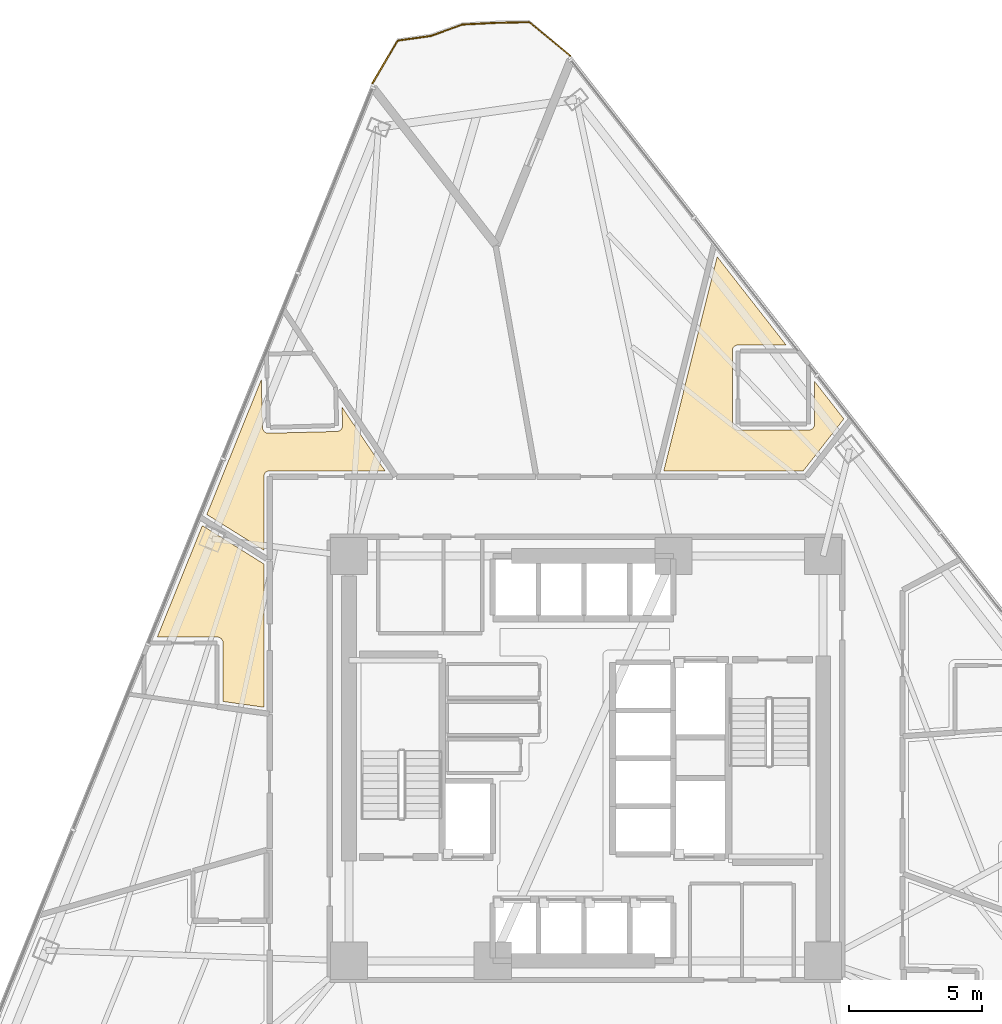
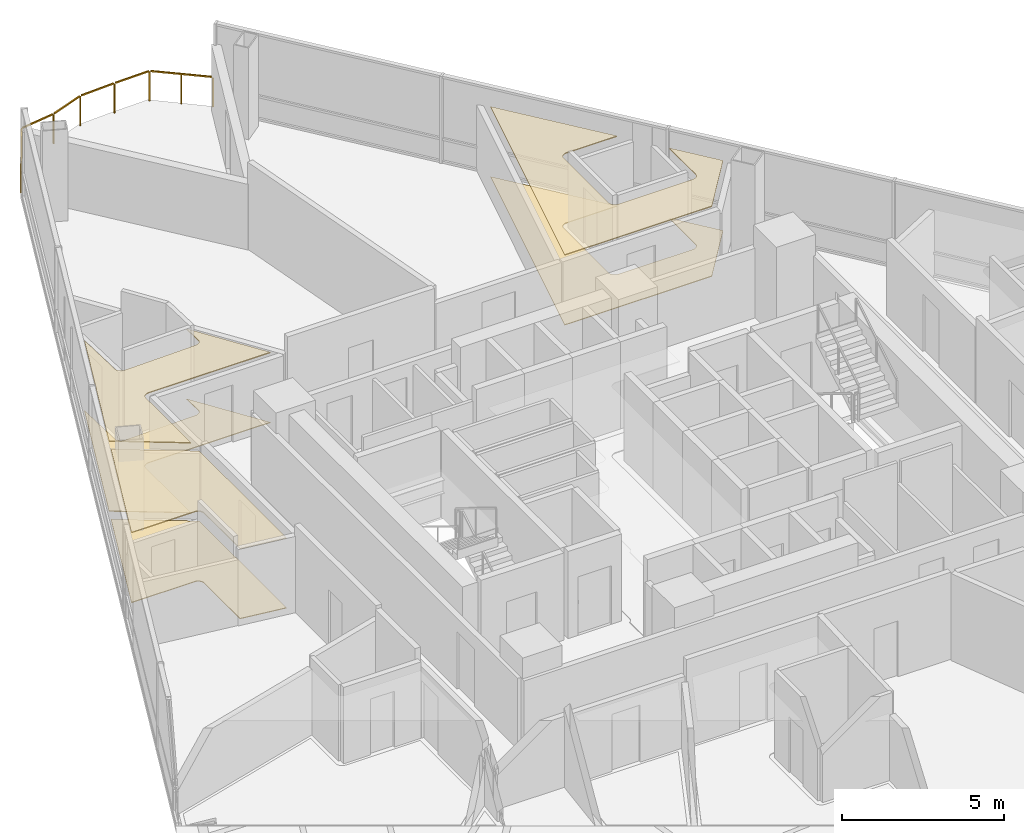
# One storey, part 16 of 16: 6 coverings, 1 railing.
"""IFC4 building model written with IfcOpenShell, lengths in metres."""

from ifc_helpers import new_model, si_unit, direction, frame, origin, origin_2d, place, context, subcontext, project, spatial, polyline, rectangle, outline, extrude, material, layer, layer_set, type_object, element, save


model = new_model("IFC4")

# Units and contexts
model_context = context("Model", 3, precision=1e-05, world=origin(), true_north=direction((0.0, 1.0)))
body_context = subcontext(model_context, "Body", "Model", "MODEL_VIEW")
ifc_project = project(units=[si_unit("LENGTHUNIT", "METRE"), si_unit("AREAUNIT", "SQUARE_METRE"), si_unit("VOLUMEUNIT", "CUBIC_METRE"), si_unit("PLANEANGLEUNIT", "RADIAN"), si_unit("MASSUNIT", "GRAM", prefix="KILO")], contexts=[model_context])

# Site, building, storey
site_placement = place(None, origin())
site = spatial("IfcSite", under=ifc_project, at=site_placement, CompositionType="ELEMENT")
building_placement = place(site_placement, origin())
building = spatial("IfcBuilding", under=site, at=building_placement, Name="Tharavind Bronze Gate", CompositionType="ELEMENT")
storey_placement = place(building_placement, frame((0.0, 0.0, 70.75)))
storey = spatial("IfcBuildingStorey", under=building, at=storey_placement, Name="L17", CompositionType="ELEMENT", Elevation=70.75)

# Coverings
ifc_material_1 = material(Name="Engineered Oak & Carpet Tile", Category="wood")
ifc_layer_1 = layer(ifc_material_1, 0.02490234375)
ifc_layer_set_1 = layer_set([ifc_layer_1], Name="Engineered Oak & Carpet Tile")
covering_type_1 = type_object("IfcCoveringType", Name="ENGINEERED TIMBER FLOORING", PredefinedType="FLOORING", material=ifc_layer_set_1)
covering_1_placement = place(storey_placement, origin())
element("IfcCovering", 1, at=covering_1_placement, inside=storey, type_object=covering_type_1, Name="L17-RM-02 floor finish", PredefinedType="FLOORING", context=body_context, shape_type="SweptSolid", body=[
    extrude(outline(polyline([(8.15869140625, 10.800048828125), (9.67919921875, 12.746337890625), (8.579833984375, 14.15380859375), (8.579833984375, 12.550048828125), (8.57861328125, 12.5283203125), (8.575439453125, 12.507080078125), (8.5703125, 12.486083984375), (8.56298828125, 12.4658203125), (8.5537109375, 12.4462890625), (8.542724609375, 12.427734375), (8.52978515625, 12.410400390625), (8.515380859375, 12.394287109375), (8.499267578125, 12.3798828125), (8.48193359375, 12.3671875), (8.46337890625, 12.35595703125), (8.44384765625, 12.3466796875), (8.423583984375, 12.339599609375), (8.402587890625, 12.334228515625), (8.38134765625, 12.3310546875), (8.35986328125, 12.330078125), (5.709716796875, 12.330078125), (5.688232421875, 12.3310546875), (5.666748046875, 12.334228515625), (5.64599609375, 12.339599609375), (5.62548828125, 12.3466796875), (5.60595703125, 12.35595703125), (5.58740234375, 12.3671875), (5.5703125, 12.3798828125), (5.55419921875, 12.394287109375), (5.539794921875, 12.410400390625), (5.52685546875, 12.427734375), (5.515625, 12.4462890625), (5.506591796875, 12.4658203125), (5.499267578125, 12.486083984375), (5.493896484375, 12.507080078125), (5.49072265625, 12.5283203125), (5.48974609375, 12.550048828125), (5.48974609375, 15.300048828125), (5.49072265625, 15.321533203125), (5.493896484375, 15.343017578125), (5.499267578125, 15.364013671875), (5.506591796875, 15.38427734375), (5.515625, 15.40380859375), (5.52685546875, 15.422119140625), (5.539794921875, 15.439697265625), (5.55419921875, 15.45556640625), (5.5703125, 15.47021484375), (5.58740234375, 15.48291015625), (5.60595703125, 15.493896484375), (5.62548828125, 15.50341796875), (5.64599609375, 15.510498046875), (5.666748046875, 15.515869140625), (5.688232421875, 15.518798828125), (5.709716796875, 15.52001953125), (7.51220703125, 15.52001953125), (4.922607421875, 18.83447265625), (2.91943359375, 10.800048828125), (8.15869140625, 10.800048828125)])), origin(), (0.0, 0.0, 1.0), 0.02490234375),
])
covering_2_placement = place(storey_placement, origin())
element("IfcCovering", 2, at=covering_2_placement, inside=storey, type_object=covering_type_1, Name="L17-RM-05 floor finish", PredefinedType="FLOORING", context=body_context, shape_type="SweptSolid", body=[
    extrude(outline(polyline([(-12.10009765625, 7.8203125), (-12.10009765625, 10.579345703125), (-12.099609375, 10.590087890625), (-12.099609375, 10.5908203125), (-12.09765625, 10.6123046875), (-12.093505859375, 10.63330078125), (-12.087158203125, 10.654052734375), (-12.078857421875, 10.674072265625), (-12.068603515625, 10.693115234375), (-12.056640625, 10.7109375), (-12.04296875, 10.727783203125), (-12.027587890625, 10.742919921875), (-12.010986328125, 10.756591796875), (-11.9931640625, 10.768798828125), (-11.97412109375, 10.77880859375), (-11.9541015625, 10.787109375), (-11.933349609375, 10.79345703125), (-11.912353515625, 10.797607421875), (-11.890869140625, 10.7998046875), (-11.89013671875, 10.7998046875), (-11.87939453125, 10.800048828125), (-7.550048828125, 10.800048828125), (-9.160888671875, 13.18798828125), (-9.14306640625, 12.5009765625), (-9.143798828125, 12.4794921875), (-9.146240234375, 12.4580078125), (-9.15087890625, 12.43701171875), (-9.15771484375, 12.41650390625), (-9.16650390625, 12.396728515625), (-9.177001953125, 12.3779296875), (-9.189453125, 12.360107421875), (-9.20361328125, 12.343994140625), (-9.21923828125, 12.3291015625), (-9.236083984375, 12.315673828125), (-9.25439453125, 12.30419921875), (-9.273681640625, 12.29443359375), (-9.293701171875, 12.28662109375), (-9.314697265625, 12.28076171875), (-9.3359375, 12.277099609375), (-9.357421875, 12.275390625), (-11.921875, 12.20947265625), (-11.943603515625, 12.2099609375), (-11.96484375, 12.212646484375), (-11.986083984375, 12.21728515625), (-12.006591796875, 12.22412109375), (-12.0263671875, 12.232666015625), (-12.045166015625, 12.243408203125), (-12.062744140625, 12.255859375), (-12.0791015625, 12.269775390625), (-12.093994140625, 12.285400390625), (-12.107421875, 12.302490234375), (-12.118896484375, 12.32080078125), (-12.128662109375, 12.340087890625), (-12.136474609375, 12.360107421875), (-12.14208984375, 12.380859375), (-12.14599609375, 12.402099609375), (-12.1474609375, 12.423583984375), (-12.193603515625, 14.2177734375), (-14.238525390625, 9.156494140625), (-12.10009765625, 7.8203125)])), origin(), (0.0, 0.0, 1.0), 0.02490234375),
])
covering_3_placement = place(storey_placement, origin())
element("IfcCovering", 3, at=covering_3_placement, inside=storey, type_object=covering_type_1, Name="L17-RM-06 floor finish", PredefinedType="FLOORING", context=body_context, shape_type="SweptSolid", body=[
    extrude(outline(polyline([(-16.09716796875, 4.556396484375), (-13.85009765625, 4.556396484375), (-13.828369140625, 4.555419921875), (-13.80712890625, 4.55224609375), (-13.7861328125, 4.547119140625), (-13.765869140625, 4.539794921875), (-13.746337890625, 4.530517578125), (-13.727783203125, 4.519287109375), (-13.71044921875, 4.506591796875), (-13.6943359375, 4.4921875), (-13.679931640625, 4.47607421875), (-13.6669921875, 4.458740234375), (-13.656005859375, 4.440185546875), (-13.646728515625, 4.420654296875), (-13.639404296875, 4.400390625), (-13.63427734375, 4.37939453125), (-13.631103515625, 4.358154296875), (-13.6298828125, 4.33642578125), (-13.6298828125, 2.1376953125), (-12.10009765625, 1.922607421875), (-12.10009765625, 7.301513671875), (-14.406005859375, 8.742431640625), (-16.09716796875, 4.556396484375)])), origin(), (0.0, 0.0, 1.0), 0.02490234375),
])
ifc_material_2 = material(Name="Acoustic Gypsum Board", Category="gypsum")
ifc_layer_2 = layer(ifc_material_2, 0.030029296875)
ifc_layer_set_2 = layer_set([ifc_layer_2], Name="Acoustic Gypsum Board")
covering_type_2 = type_object("IfcCoveringType", Name="GYPSUM SUSPENDED CEILING", PredefinedType="CEILING", material=ifc_layer_set_2)
covering_4_placement = place(storey_placement, frame((0.0, 0.0, 2.625)))
element("IfcCovering", 4, at=covering_4_placement, inside=storey, type_object=covering_type_2, Name="L17-RM-02 suspended ceiling", PredefinedType="CEILING", context=body_context, shape_type="SweptSolid", body=[
    extrude(outline(polyline([(8.15869140625, 10.800048828125), (9.67919921875, 12.746337890625), (8.579833984375, 14.15380859375), (8.579833984375, 12.550048828125), (8.57861328125, 12.5283203125), (8.575439453125, 12.507080078125), (8.5703125, 12.486083984375), (8.56298828125, 12.4658203125), (8.5537109375, 12.4462890625), (8.542724609375, 12.427734375), (8.52978515625, 12.410400390625), (8.515380859375, 12.394287109375), (8.499267578125, 12.3798828125), (8.48193359375, 12.3671875), (8.46337890625, 12.35595703125), (8.44384765625, 12.3466796875), (8.423583984375, 12.339599609375), (8.402587890625, 12.334228515625), (8.38134765625, 12.3310546875), (8.35986328125, 12.330078125), (5.709716796875, 12.330078125), (5.688232421875, 12.3310546875), (5.666748046875, 12.334228515625), (5.64599609375, 12.339599609375), (5.62548828125, 12.3466796875), (5.60595703125, 12.35595703125), (5.58740234375, 12.3671875), (5.5703125, 12.3798828125), (5.55419921875, 12.394287109375), (5.539794921875, 12.410400390625), (5.52685546875, 12.427734375), (5.515625, 12.4462890625), (5.506591796875, 12.4658203125), (5.499267578125, 12.486083984375), (5.493896484375, 12.507080078125), (5.49072265625, 12.5283203125), (5.48974609375, 12.550048828125), (5.48974609375, 15.300048828125), (5.49072265625, 15.321533203125), (5.493896484375, 15.343017578125), (5.499267578125, 15.364013671875), (5.506591796875, 15.38427734375), (5.515625, 15.40380859375), (5.52685546875, 15.422119140625), (5.539794921875, 15.439697265625), (5.55419921875, 15.45556640625), (5.5703125, 15.47021484375), (5.58740234375, 15.48291015625), (5.60595703125, 15.493896484375), (5.62548828125, 15.50341796875), (5.64599609375, 15.510498046875), (5.666748046875, 15.515869140625), (5.688232421875, 15.518798828125), (5.709716796875, 15.52001953125), (7.51220703125, 15.52001953125), (4.922607421875, 18.83447265625), (2.91943359375, 10.800048828125), (8.15869140625, 10.800048828125)])), origin(), (0.0, 0.0, 1.0), 0.034912109375),
])
covering_5_placement = place(storey_placement, frame((0.0, 0.0, 2.625)))
element("IfcCovering", 5, at=covering_5_placement, inside=storey, type_object=covering_type_2, Name="L17-RM-05 suspended ceiling", PredefinedType="CEILING", context=body_context, shape_type="SweptSolid", body=[
    extrude(outline(polyline([(-12.10009765625, 7.8203125), (-12.10009765625, 10.579345703125), (-12.099609375, 10.590087890625), (-12.099609375, 10.5908203125), (-12.09765625, 10.6123046875), (-12.093505859375, 10.63330078125), (-12.087158203125, 10.654052734375), (-12.078857421875, 10.674072265625), (-12.068603515625, 10.693115234375), (-12.056640625, 10.7109375), (-12.04296875, 10.727783203125), (-12.027587890625, 10.742919921875), (-12.010986328125, 10.756591796875), (-11.9931640625, 10.768798828125), (-11.97412109375, 10.77880859375), (-11.9541015625, 10.787109375), (-11.933349609375, 10.79345703125), (-11.912353515625, 10.797607421875), (-11.890869140625, 10.7998046875), (-11.89013671875, 10.7998046875), (-11.87939453125, 10.800048828125), (-7.550048828125, 10.800048828125), (-9.160888671875, 13.18798828125), (-9.14306640625, 12.5009765625), (-9.143798828125, 12.4794921875), (-9.146240234375, 12.4580078125), (-9.15087890625, 12.43701171875), (-9.15771484375, 12.41650390625), (-9.16650390625, 12.396728515625), (-9.177001953125, 12.3779296875), (-9.189453125, 12.360107421875), (-9.20361328125, 12.343994140625), (-9.21923828125, 12.3291015625), (-9.236083984375, 12.315673828125), (-9.25439453125, 12.30419921875), (-9.273681640625, 12.29443359375), (-9.293701171875, 12.28662109375), (-9.314697265625, 12.28076171875), (-9.3359375, 12.277099609375), (-9.357421875, 12.275390625), (-11.921875, 12.20947265625), (-11.943603515625, 12.2099609375), (-11.96484375, 12.212646484375), (-11.986083984375, 12.21728515625), (-12.006591796875, 12.22412109375), (-12.0263671875, 12.232666015625), (-12.045166015625, 12.243408203125), (-12.062744140625, 12.255859375), (-12.0791015625, 12.269775390625), (-12.093994140625, 12.285400390625), (-12.107421875, 12.302490234375), (-12.118896484375, 12.32080078125), (-12.128662109375, 12.340087890625), (-12.136474609375, 12.360107421875), (-12.14208984375, 12.380859375), (-12.14599609375, 12.402099609375), (-12.1474609375, 12.423583984375), (-12.193603515625, 14.2177734375), (-14.238525390625, 9.156494140625), (-12.10009765625, 7.8203125)])), origin(), (0.0, 0.0, 1.0), 0.034912109375),
])
covering_6_placement = place(storey_placement, frame((0.0, 0.0, 2.625)))
element("IfcCovering", 6, at=covering_6_placement, inside=storey, type_object=covering_type_2, Name="L17-RM-06 suspended ceiling", PredefinedType="CEILING", context=body_context, shape_type="SweptSolid", body=[
    extrude(outline(polyline([(-16.09716796875, 4.556396484375), (-13.85009765625, 4.556396484375), (-13.828369140625, 4.555419921875), (-13.80712890625, 4.55224609375), (-13.7861328125, 4.547119140625), (-13.765869140625, 4.539794921875), (-13.746337890625, 4.530517578125), (-13.727783203125, 4.519287109375), (-13.71044921875, 4.506591796875), (-13.6943359375, 4.4921875), (-13.679931640625, 4.47607421875), (-13.6669921875, 4.458740234375), (-13.656005859375, 4.440185546875), (-13.646728515625, 4.420654296875), (-13.639404296875, 4.400390625), (-13.63427734375, 4.37939453125), (-13.631103515625, 4.358154296875), (-13.6298828125, 4.33642578125), (-13.6298828125, 2.1376953125), (-12.10009765625, 1.922607421875), (-12.10009765625, 7.301513671875), (-14.406005859375, 8.742431640625), (-16.09716796875, 4.556396484375)])), origin(), (0.0, 0.0, 1.0), 0.034912109375),
])

# Railing
ifc_material_3 = material(Name="Bronze Cap & Laminated Glass", Category="glass")
railing_type = type_object("IfcRailingType", Name="TERRACE GLASS GUARD RAILING 1150", PredefinedType="GUARDRAIL", material=ifc_material_3)
railing_placement = place(storey_placement, frame((-8.02294921875, 25.341552734375, 0.0)))
element("IfcRailing", 7, at=railing_placement, inside=storey, type_object=railing_type, Name="L17 tree balcony guard railing", PredefinedType="GUARDRAIL", context=body_context, shape_type="SweptSolid", body=[
    extrude(rectangle(XDim=0.048095703125, YDim=0.048095703125, at=origin_2d()), frame((0.01611328125, 0.027587890625, 1.1259765625), z_axis=(0.5072203259, 0.861816419543, 0.0), x_axis=(-0.861816419543, 0.5072203259, 0.0)), (0.0, 0.0, 1.0), 1.80126953125),
    extrude(rectangle(XDim=0.048095703125, YDim=0.048095703125, at=origin_2d()), frame((0.977783203125, 1.61181640625, 1.1259765625), z_axis=(0.99028265427, 0.139069280047, 0.0), x_axis=(-0.139069280047, 0.99028265427, 0.0)), (0.0, 0.0, 1.0), 1.18603515625),
    extrude(rectangle(XDim=0.048095703125, YDim=0.048095703125, at=origin_2d()), frame((2.2138671875, 1.7919921875, 1.1259765625), z_axis=(0.941126052549, 0.338055843337, 0.0), x_axis=(-0.338055843337, 0.941126052549, 0.0)), (0.0, 0.0, 1.0), 1.212890625),
    extrude(rectangle(XDim=0.048095703125, YDim=0.048095703125, at=origin_2d()), frame((3.41748046875, 2.214599609375, 1.1259765625), z_axis=(0.998749426413, 0.049995832214, 0.0), x_axis=(-0.049995832214, 0.998749426413, 0.0)), (0.0, 0.0, 1.0), 1.19091796875),
    extrude(rectangle(XDim=0.048095703125, YDim=0.048095703125, at=origin_2d()), frame((4.6708984375, 2.2763671875, 1.1259765625), z_axis=(0.999759833143, 0.021915200998, 0.0), x_axis=(-0.021915200998, 0.999759833143, 0.0)), (0.0, 0.0, 1.0), 1.19482421875),
    extrude(rectangle(XDim=0.048095703125, YDim=0.048095703125, at=origin_2d()), frame((5.922119140625, 2.282958984375, 1.1259765625), z_axis=(0.772015598117, -0.635603584212, 0.0), x_axis=(0.635603584212, 0.772015598117, 0.0)), (0.0, 0.0, 1.0), 1.917236328125),
    extrude(rectangle(XDim=0.0400390625, YDim=0.0400390625, at=origin_2d()), origin(), (0.0, 0.0, 1.0), 1.097900390625),
    extrude(rectangle(XDim=0.0400390625, YDim=0.0400390625, at=origin_2d()), frame((0.47314453125, 0.8037109375, 0.0)), (0.0, 0.0, 1.0), 1.097900390625),
    extrude(rectangle(XDim=0.0400390625, YDim=0.0400390625, at=origin_2d()), frame((0.946044921875, 1.607421875, 0.0)), (0.0, 0.0, 1.0), 1.097900390625),
    extrude(rectangle(XDim=0.0400390625, YDim=0.0400390625, at=origin_2d()), frame((2.183837890625, 1.78125, 0.0)), (0.0, 0.0, 1.0), 1.097900390625),
    extrude(rectangle(XDim=0.0400390625, YDim=0.0400390625, at=origin_2d()), frame((3.385498046875, 2.212890625, 0.0)), (0.0, 0.0, 1.0), 1.097900390625),
    extrude(rectangle(XDim=0.0400390625, YDim=0.0400390625, at=origin_2d()), frame((4.638916015625, 2.275634765625, 0.0)), (0.0, 0.0, 1.0), 1.097900390625),
    extrude(rectangle(XDim=0.0400390625, YDim=0.0400390625, at=origin_2d()), frame((5.8974609375, 2.30322265625, 0.0)), (0.0, 0.0, 1.0), 1.097900390625),
    extrude(rectangle(XDim=0.0400390625, YDim=0.0400390625, at=origin_2d()), frame((6.662109375, 1.673583984375, 0.0)), (0.0, 0.0, 1.0), 1.097900390625),
    extrude(rectangle(XDim=0.0400390625, YDim=0.0400390625, at=origin_2d()), frame((7.427001953125, 1.0439453125, 0.0)), (0.0, 0.0, 1.0), 1.097900390625),
])

save(model, "model.ifc")
